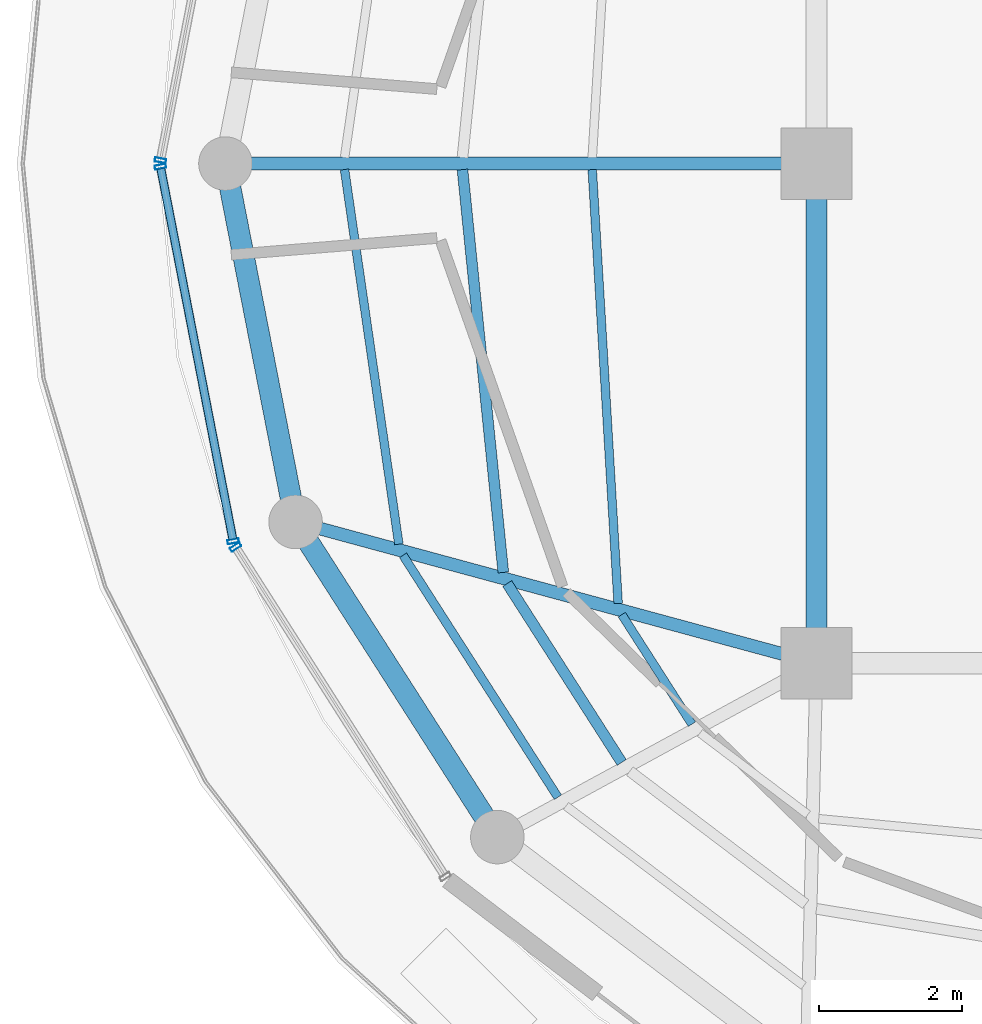
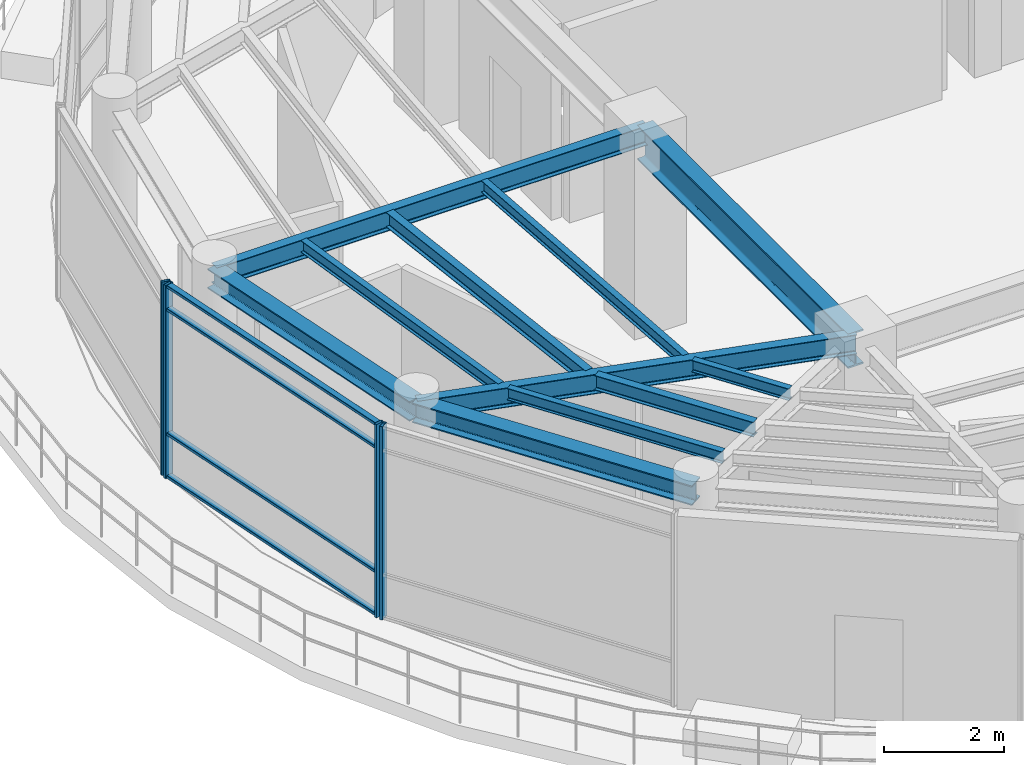
# One storey, part 4 of 20: 11 beams, 8 members, 3 elements without a shape of their own.
"""IFC4 building model written with IfcOpenShell, lengths in metres."""

from ifc_helpers import new_model, si_unit, direction, frame, origin, origin_2d, place, context, subcontext, project, spatial, hollow_rectangle, i_section, extrude, material, layer, layer_set, material_profile, profile_set, type_object, element, aggregate, save


model = new_model("IFC4")

# Units and contexts
model_context = context("Model", 3, precision=1e-05, world=origin(), true_north=direction((0.0, 1.0)))
body_context = subcontext(model_context, "Body", "Model", "MODEL_VIEW")
ifc_project = project(units=[si_unit("LENGTHUNIT", "METRE"), si_unit("AREAUNIT", "SQUARE_METRE"), si_unit("VOLUMEUNIT", "CUBIC_METRE"), si_unit("PLANEANGLEUNIT", "RADIAN"), si_unit("MASSUNIT", "GRAM", prefix="KILO")], contexts=[model_context])

# Site, building, storey
site_placement = place(None, origin())
site = spatial("IfcSite", under=ifc_project, at=site_placement, CompositionType="ELEMENT")
building_placement = place(site_placement, origin())
building = spatial("IfcBuilding", under=site, at=building_placement, Name="Kelanora Arch Commons", CompositionType="ELEMENT")
storey_placement = place(building_placement, frame((0.0, 0.0, 298.5)))
storey = spatial("IfcBuildingStorey", under=building, at=storey_placement, Name="L76", CompositionType="ELEMENT", Elevation=298.5)

# Beams
ifc_material_1 = material(Name="Steel S355", Category="steel")
ifc_material_profile_1 = material_profile(ifc_material_1, i_section(OverallWidth=0.300048828125, OverallDepth=0.699951171875, WebThickness=0.01708984375, FlangeThickness=0.031982421875, FilletRadius=0.027099609375, at=origin_2d()), Name="HEB700")
ifc_profile_set_1 = profile_set([ifc_material_profile_1], Name="Steel S355")
beam_type_1 = type_object("IfcBeamType", Name="BM-CORE-HDR", PredefinedType="BEAM", material=ifc_profile_set_1)
beam_1_placement = place(storey_placement, frame((66.0, 58.0, 3.590087890625), z_axis=(0.0, -1.0, 0.0), x_axis=(1.0, 0.0, 0.0)))
element("IfcBeam", 1, at=beam_1_placement, inside=storey, type_object=beam_type_1, Name="Core Header Beam 09 L76", PredefinedType="BEAM", context=body_context, shape_type="SweptSolid", body=[
    extrude(i_section(OverallWidth=0.300048828125, OverallDepth=0.699951171875, WebThickness=0.01708984375, FlangeThickness=0.031982421875, FilletRadius=0.027099609375, at=origin_2d()), origin(), (0.0, 0.0, 1.0), 7.0),
])
ifc_material_profile_2 = material_profile(ifc_material_1, i_section(OverallWidth=0.14990234375, OverallDepth=0.300048828125, WebThickness=0.007080078125, FlangeThickness=0.0107421875, FilletRadius=0.014892578125, at=origin_2d()), Name="IPE300")
ifc_profile_set_2 = profile_set([ifc_material_profile_2], Name="Steel S355")
beam_type_2 = type_object("IfcBeamType", Name="BM-JST-01", PredefinedType="JOIST", material=ifc_profile_set_2)
beam_2_placement = place(storey_placement, frame((61.04052734375, 57.915283203125, 3.7900390625), z_axis=(0.100846008885, -0.994902046682, 0.0), x_axis=(0.994902046682, 0.100846008885, 0.0)))
element("IfcBeam", 2, at=beam_2_placement, inside=storey, type_object=beam_type_2, Name="Secondary Chord Joist BJB-18 L76", PredefinedType="JOIST", context=body_context, shape_type="SweptSolid", body=[
    extrude(i_section(OverallWidth=0.14990234375, OverallDepth=0.300048828125, WebThickness=0.007080078125, FlangeThickness=0.0107421875, FilletRadius=0.014892578125, at=origin_2d()), origin(), (0.0, 0.0, 1.0), 5.672119140625),
])
beam_3_placement = place(storey_placement, frame((61.6669921875, 52.115966796875, 3.7900390625), z_axis=(0.539193378054, -0.84218198809, 0.0), x_axis=(0.84218198809, 0.539193378054, 0.0)))
element("IfcBeam", 3, at=beam_3_placement, inside=storey, type_object=beam_type_2, Name="Secondary Chord Joist BJB-20 L76", PredefinedType="JOIST", context=body_context, shape_type="SweptSolid", body=[
    extrude(i_section(OverallWidth=0.14990234375, OverallDepth=0.300048828125, WebThickness=0.007080078125, FlangeThickness=0.0107421875, FilletRadius=0.014892578125, at=origin_2d()), origin(), (0.0, 0.0, 1.0), 2.975830078125),
])
ifc_material_profile_3 = material_profile(ifc_material_1, i_section(OverallWidth=0.1201171875, OverallDepth=0.239990234375, WebThickness=0.006103515625, FlangeThickness=0.009765625, FilletRadius=0.014892578125, at=origin_2d()), Name="IPE240")
ifc_profile_set_3 = profile_set([ifc_material_profile_3], Name="Steel S355")
beam_type_3 = type_object("IfcBeamType", Name="BM-JST-02", PredefinedType="JOIST", material=ifc_profile_set_3)
beam_4_placement = place(storey_placement, frame((62.858642578125, 57.915283203125, 3.820068359375), z_axis=(0.059619828045, -0.998221155909, 0.0), x_axis=(0.998221155909, 0.059619828045, 0.0)))
element("IfcBeam", 4, at=beam_4_placement, inside=storey, type_object=beam_type_3, Name="Secondary Chord Joist BJA-18 L76", PredefinedType="JOIST", context=body_context, shape_type="SweptSolid", body=[
    extrude(i_section(OverallWidth=0.1201171875, OverallDepth=0.239990234375, WebThickness=0.006103515625, FlangeThickness=0.009765625, FilletRadius=0.014892578125, at=origin_2d()), origin(), (0.0, 0.0, 1.0), 6.089111328125),
])
beam_5_placement = place(storey_placement, frame((59.38818359375, 57.916015625, 3.820068359375), z_axis=(0.143489842264, -0.989651789857, 0.0), x_axis=(0.989651789857, 0.143489842264, 0.0)))
element("IfcBeam", 5, at=beam_5_placement, inside=storey, type_object=beam_type_3, Name="Secondary Chord Joist BJC-18 L76", PredefinedType="JOIST", context=body_context, shape_type="SweptSolid", body=[
    extrude(i_section(OverallWidth=0.1201171875, OverallDepth=0.239990234375, WebThickness=0.006103515625, FlangeThickness=0.009765625, FilletRadius=0.014892578125, at=origin_2d()), origin(), (0.0, 0.0, 1.0), 5.303466796875),
])
beam_6_placement = place(storey_placement, frame((63.2724609375, 51.680419921875, 3.820068359375), z_axis=(0.539300812993, -0.842113194947, 0.0), x_axis=(0.842113194947, 0.539300812993, 0.0)))
element("IfcBeam", 6, at=beam_6_placement, inside=storey, type_object=beam_type_3, Name="Secondary Chord Joist BJA-20 L76", PredefinedType="JOIST", context=body_context, shape_type="SweptSolid", body=[
    extrude(i_section(OverallWidth=0.1201171875, OverallDepth=0.239990234375, WebThickness=0.006103515625, FlangeThickness=0.009765625, FilletRadius=0.014892578125, at=origin_2d()), origin(), (0.0, 0.0, 1.0), 1.822021484375),
])
beam_7_placement = place(storey_placement, frame((60.207275390625, 52.51171875, 3.820068359375), z_axis=(0.539232732312, -0.842156790867, 0.0), x_axis=(0.842156790867, 0.539232732312, 0.0)))
element("IfcBeam", 7, at=beam_7_placement, inside=storey, type_object=beam_type_3, Name="Secondary Chord Joist BJC-20 L76", PredefinedType="JOIST", context=body_context, shape_type="SweptSolid", body=[
    extrude(i_section(OverallWidth=0.1201171875, OverallDepth=0.239990234375, WebThickness=0.006103515625, FlangeThickness=0.009765625, FilletRadius=0.014892578125, at=origin_2d()), origin(), (0.0, 0.0, 1.0), 4.024169921875),
])
ifc_material_profile_4 = material_profile(ifc_material_1, i_section(OverallWidth=0.179931640625, OverallDepth=0.39990234375, WebThickness=0.008544921875, FlangeThickness=0.013427734375, FilletRadius=0.02099609375, at=origin_2d()), Name="IPE400")
ifc_profile_set_4 = profile_set([ifc_material_profile_4], Name="Steel S355")
beam_type_4 = type_object("IfcBeamType", Name="BM-RAD-Z5", PredefinedType="BEAM", material=ifc_profile_set_4)
beam_8_placement = place(storey_placement, frame((66.0, 58.0, 3.739990234375), z_axis=(-1.0, 0.0, 0.0), x_axis=(0.0, -1.0, 0.0)))
element("IfcBeam", 8, at=beam_8_placement, inside=storey, type_object=beam_type_4, Name="Radial Floor Girder BR-18 L76", PredefinedType="BEAM", context=body_context, shape_type="SweptSolid", body=[
    extrude(i_section(OverallWidth=0.179931640625, OverallDepth=0.39990234375, WebThickness=0.008544921875, FlangeThickness=0.013427734375, FilletRadius=0.02099609375, at=origin_2d()), origin(), (0.0, 0.0, 1.0), 8.280029296875),
])
beam_9_placement = place(storey_placement, frame((66.0, 51.0, 3.739990234375), z_axis=(-0.965145027625, 0.26171563891, 0.0), x_axis=(-0.26171563891, -0.965145027625, 0.0)))
element("IfcBeam", 9, at=beam_9_placement, inside=storey, type_object=beam_type_4, Name="Radial Floor Girder BR-20 L76", PredefinedType="BEAM", context=body_context, shape_type="SweptSolid", body=[
    extrude(i_section(OverallWidth=0.179931640625, OverallDepth=0.39990234375, WebThickness=0.008544921875, FlangeThickness=0.013427734375, FilletRadius=0.02099609375, at=origin_2d()), origin(), (0.0, 0.0, 1.0), 7.561767578125),
])
ifc_material_profile_5 = material_profile(ifc_material_1, i_section(OverallWidth=0.300048828125, OverallDepth=0.39990234375, WebThickness=0.013427734375, FlangeThickness=0.02392578125, FilletRadius=0.027099609375, at=origin_2d()), Name="HEB400")
ifc_profile_set_5 = profile_set([ifc_material_profile_5], Name="Steel S355")
beam_type_5 = type_object("IfcBeamType", Name="BM-SPN-Z4", PredefinedType="SPANDREL", material=ifc_profile_set_5)
beam_10_placement = place(storey_placement, frame((57.719970703125, 58.0, 3.739990234375), z_axis=(0.191929675955, -0.981408681176, 0.0), x_axis=(0.981408681176, 0.191929675955, 0.0)))
element("IfcBeam", 10, at=beam_10_placement, inside=storey, type_object=beam_type_5, Name="Perimeter Spandrel Beam BS-18 L76", PredefinedType="SPANDREL", context=body_context, shape_type="SweptSolid", body=[
    extrude(i_section(OverallWidth=0.300048828125, OverallDepth=0.39990234375, WebThickness=0.013427734375, FlangeThickness=0.02392578125, FilletRadius=0.027099609375, at=origin_2d()), origin(), (0.0, 0.0, 1.0), 5.1162109375),
])
beam_11_placement = place(storey_placement, frame((58.701904296875, 52.97900390625, 3.739990234375), z_axis=(0.53922680048, -0.842160588987, 0.0), x_axis=(0.842160588987, 0.53922680048, 0.0)))
element("IfcBeam", 11, at=beam_11_placement, inside=storey, type_object=beam_type_5, Name="Perimeter Spandrel Beam BS-20 L76", PredefinedType="SPANDREL", context=body_context, shape_type="SweptSolid", body=[
    extrude(i_section(OverallWidth=0.300048828125, OverallDepth=0.39990234375, WebThickness=0.013427734375, FlangeThickness=0.02392578125, FilletRadius=0.027099609375, at=origin_2d()), origin(), (0.0, 0.0, 1.0), 5.242431640625),
])

# Curtain wall, member
ifc_material_2 = material(Name="Terracotta ceramic-fritted low-E glass and aluminium", Category="masonry")
ifc_layer = layer(ifc_material_2, 0.14990234375)
ifc_layer_set = layer_set([ifc_layer], Name="Terracotta ceramic-fritted low-E glass and aluminium")
curtain_wall_type = type_object("IfcCurtainWallType", Name="CW-SYS-06", PredefinedType="NOTDEFINED", material=ifc_layer_set)
curtain_wall_1_placement = place(storey_placement, origin())
curtain_wall_1 = element("IfcCurtainWall", 12, at=curtain_wall_1_placement, inside=storey, type_object=curtain_wall_type, Name="Unitised Curtain Wall L76-B08", PredefinedType="NOTDEFINED")
ifc_material_3 = material(Name="Powder-coated aluminium terracotta", Category="masonry")
ifc_material_profile_6 = material_profile(ifc_material_3, hollow_rectangle(XDim=0.159912109375, YDim=0.06005859375, WallThickness=0.0048828125, InnerFilletRadius=0.0048828125, OuterFilletRadius=0.010009765625, at=origin_2d()), Name="CWM160x60")
ifc_profile_set_6 = profile_set([ifc_material_profile_6], Name="Powder-coated aluminium terracotta")
member_type_1 = type_object("IfcMemberType", Name="CWM-STD", PredefinedType="MULLION", material=ifc_profile_set_6)
member_1_placement = place(storey_placement, frame((56.80859375, 58.044189453125, 0.0), z_axis=(0.0, 0.0, 1.0), x_axis=(0.981623765263, -0.190826579571, 0.0)))
member_1 = element("IfcMember", 13, at=member_1_placement, type_object=member_type_1, Name="CW-06 mullion 2", PredefinedType="MULLION", context=body_context, shape_type="SweptSolid", body=[
    extrude(hollow_rectangle(XDim=0.159912109375, YDim=0.06005859375, WallThickness=0.0048828125, InnerFilletRadius=0.0048828125, OuterFilletRadius=0.010009765625, at=origin_2d()), origin(), (0.0, 0.0, 1.0), 3.925048828125),
])
aggregate(curtain_wall_1, [member_1])

# Curtain wall, members
curtain_wall_2_placement = place(storey_placement, origin())
curtain_wall_2 = element("IfcCurtainWall", 14, at=curtain_wall_2_placement, inside=storey, type_object=curtain_wall_type, Name="Unitised Curtain Wall L76-B09", PredefinedType="NOTDEFINED")
member_2_placement = place(storey_placement, frame((56.80859375, 57.955810546875, 0.0), z_axis=(0.0, 0.0, 1.0), x_axis=(0.981623765263, 0.190826579571, 0.0)))
member_2 = element("IfcMember", 15, at=member_2_placement, type_object=member_type_1, Name="CW-06 mullion 1", PredefinedType="MULLION", context=body_context, shape_type="SweptSolid", body=[
    extrude(hollow_rectangle(XDim=0.159912109375, YDim=0.06005859375, WallThickness=0.0048828125, InnerFilletRadius=0.0048828125, OuterFilletRadius=0.010009765625, at=origin_2d()), origin(), (0.0, 0.0, 1.0), 3.925048828125),
])
member_3_placement = place(storey_placement, frame((57.82861328125, 52.708740234375, 0.0), z_axis=(0.0, 0.0, 1.0), x_axis=(0.981623765263, 0.190826579571, 0.0)))
member_3 = element("IfcMember", 16, at=member_3_placement, type_object=member_type_1, Name="CW-06 mullion 2", PredefinedType="MULLION", context=body_context, shape_type="SweptSolid", body=[
    extrude(hollow_rectangle(XDim=0.159912109375, YDim=0.06005859375, WallThickness=0.0048828125, InnerFilletRadius=0.0048828125, OuterFilletRadius=0.010009765625, at=origin_2d()), origin(), (0.0, 0.0, 1.0), 3.925048828125),
])

# Curtain wall, member
curtain_wall_3_placement = place(storey_placement, origin())
curtain_wall_3 = element("IfcCurtainWall", 17, at=curtain_wall_3_placement, inside=storey, type_object=curtain_wall_type, Name="Unitised Curtain Wall L76-B10", PredefinedType="NOTDEFINED")
member_4_placement = place(storey_placement, frame((57.861572265625, 52.62646484375, 0.0), z_axis=(0.0, 0.0, 1.0), x_axis=(0.84359225554, 0.536984270154, 0.0)))
member_4 = element("IfcMember", 18, at=member_4_placement, type_object=member_type_1, Name="CW-06 mullion 1", PredefinedType="MULLION", context=body_context, shape_type="SweptSolid", body=[
    extrude(hollow_rectangle(XDim=0.159912109375, YDim=0.06005859375, WallThickness=0.0048828125, InnerFilletRadius=0.0048828125, OuterFilletRadius=0.010009765625, at=origin_2d()), origin(), (0.0, 0.0, 1.0), 3.925048828125),
])
aggregate(curtain_wall_3, [member_4])

# Member
ifc_material_profile_7 = material_profile(ifc_material_3, hollow_rectangle(XDim=0.1201171875, YDim=0.06005859375, WallThickness=0.0048828125, InnerFilletRadius=0.0048828125, OuterFilletRadius=0.010009765625, at=origin_2d()), Name="CWT120x60")
ifc_profile_set_7 = profile_set([ifc_material_profile_7], Name="Powder-coated aluminium terracotta")
member_type_2 = type_object("IfcMemberType", Name="CWT-STD", PredefinedType="USERDEFINED", material=ifc_profile_set_7)
member_5_placement = place(storey_placement, frame((56.814453125, 57.926513671875, 0.030029296875), z_axis=(0.190810315943, -0.981626926755, 0.0), x_axis=(0.981626926755, 0.190810315943, 0.0)))
member_5 = element("IfcMember", 19, at=member_5_placement, type_object=member_type_2, Name="CW-06 transom 1.1", ObjectType="TRANSOM", PredefinedType="USERDEFINED", context=body_context, shape_type="SweptSolid", body=[
    extrude(hollow_rectangle(XDim=0.1201171875, YDim=0.06005859375, WallThickness=0.0048828125, InnerFilletRadius=0.0048828125, OuterFilletRadius=0.010009765625, at=origin_2d()), origin(), (0.0, 0.0, 1.0), 5.28564453125),
])

member_6_placement = place(storey_placement, frame((56.814453125, 57.926513671875, 0.89990234375), z_axis=(0.190810315943, -0.981626926755, 0.0), x_axis=(0.981626926755, 0.190810315943, 0.0)))
member_6 = element("IfcMember", 20, at=member_6_placement, type_object=member_type_2, Name="CW-06 transom 1.2", ObjectType="TRANSOM", PredefinedType="USERDEFINED", context=body_context, shape_type="SweptSolid", body=[
    extrude(hollow_rectangle(XDim=0.1201171875, YDim=0.06005859375, WallThickness=0.0048828125, InnerFilletRadius=0.0048828125, OuterFilletRadius=0.010009765625, at=origin_2d()), origin(), (0.0, 0.0, 1.0), 5.28564453125),
])

member_7_placement = place(storey_placement, frame((56.814453125, 57.926513671875, 3.425048828125), z_axis=(0.190810315943, -0.981626926755, 0.0), x_axis=(0.981626926755, 0.190810315943, 0.0)))
member_7 = element("IfcMember", 21, at=member_7_placement, type_object=member_type_2, Name="CW-06 transom 1.3", ObjectType="TRANSOM", PredefinedType="USERDEFINED", context=body_context, shape_type="SweptSolid", body=[
    extrude(hollow_rectangle(XDim=0.1201171875, YDim=0.06005859375, WallThickness=0.0048828125, InnerFilletRadius=0.0048828125, OuterFilletRadius=0.010009765625, at=origin_2d()), origin(), (0.0, 0.0, 1.0), 5.28564453125),
])

member_8_placement = place(storey_placement, frame((56.814453125, 57.926513671875, 3.89501953125), z_axis=(0.190810315943, -0.981626926755, 0.0), x_axis=(0.981626926755, 0.190810315943, 0.0)))
member_8 = element("IfcMember", 22, at=member_8_placement, type_object=member_type_2, Name="CW-06 transom 1.4", ObjectType="TRANSOM", PredefinedType="USERDEFINED", context=body_context, shape_type="SweptSolid", body=[
    extrude(hollow_rectangle(XDim=0.1201171875, YDim=0.06005859375, WallThickness=0.0048828125, InnerFilletRadius=0.0048828125, OuterFilletRadius=0.010009765625, at=origin_2d()), origin(), (0.0, 0.0, 1.0), 5.28564453125),
])

aggregate(curtain_wall_2, [member_2, member_3, member_5, member_6, member_7, member_8])

save(model, "model.ifc")
